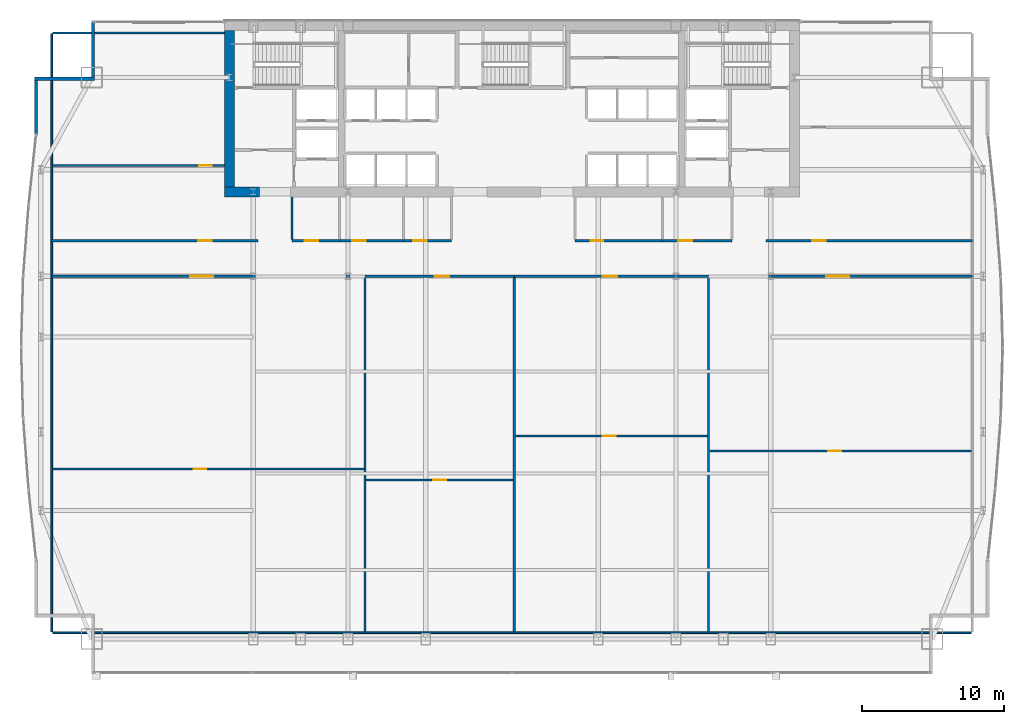
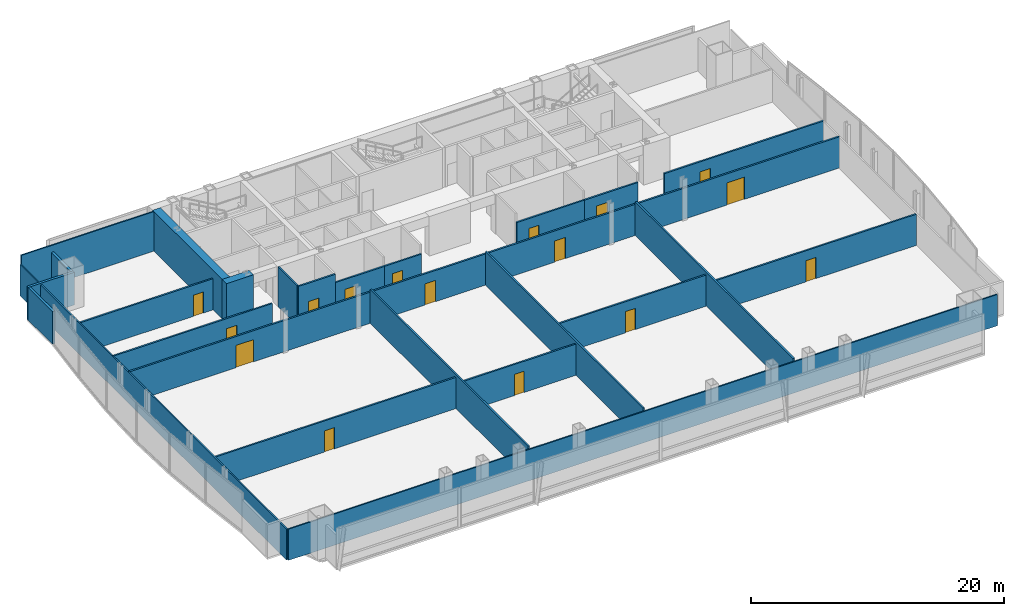
# One storey, part 26 of 30: 28 walls, 16 doors, 16 openings.
"""IFC4 building model written with IfcOpenShell, lengths in metres."""

from ifc_helpers import new_model, si_unit, direction, frame, frame_2d, origin, place, context, subcontext, project, spatial, rectangle, extrude, material, layer, layer_set, type_object, element, fill, save


model = new_model("IFC4")

# Units and contexts
model_context = context("Model", 3, precision=1e-05, world=origin(), true_north=direction((0.0, 1.0)))
body_context = subcontext(model_context, "Body", "Model", "MODEL_VIEW")
ifc_project = project(units=[si_unit("LENGTHUNIT", "METRE"), si_unit("AREAUNIT", "SQUARE_METRE"), si_unit("VOLUMEUNIT", "CUBIC_METRE"), si_unit("PLANEANGLEUNIT", "RADIAN"), si_unit("MASSUNIT", "GRAM", prefix="KILO")], contexts=[model_context])

# Site, building, storey
site_placement = place(None, origin())
site = spatial("IfcSite", under=ifc_project, at=site_placement, CompositionType="ELEMENT")
building_placement = place(site_placement, origin())
building = spatial("IfcBuilding", under=site, at=building_placement, Name="Khoronbel Lancet Exchange", CompositionType="ELEMENT")
storey_placement = place(building_placement, frame((0.0, 0.0, 98.60009765625)))
storey = spatial("IfcBuildingStorey", under=building, at=storey_placement, Name="L23", CompositionType="ELEMENT", Elevation=98.60009765625)

# Walls
ifc_material_1 = material(Name="Concrete C80/95", Category="concrete")
ifc_layer_1 = layer(ifc_material_1, 0.699951171875, Name="Concrete C80/95")
ifc_layer_set_1 = layer_set([ifc_layer_1], Name="Concrete C80/95")
wall_type_1 = type_object("IfcWallType", Name="WL-CW2", PredefinedType="SHEAR", material=ifc_layer_set_1)
wall_1_placement = place(storey_placement, frame((16.550048828125, 42.0, 0.0), z_axis=(0.0, 0.0, 1.0), x_axis=(0.0, 1.0, 0.0)))
element("IfcWall", 1, at=wall_1_placement, inside=storey, type_object=wall_type_1, Name="Level L23 rear core west shear wall", PredefinedType="SHEAR", context=body_context, shape_type="SweptSolid", body=[
    extrude(rectangle(XDim=11.0, YDim=0.699951171875, at=frame_2d((5.5, 0.0))), origin(), (0.0, 0.0, 1.0), 3.81982421875),
])
wall_2_placement = place(storey_placement, frame((18.64990234375, 41.64990234375, 0.0), z_axis=(0.0, 0.0, 1.0), x_axis=(-1.0, 0.0, 0.0)))
element("IfcWall", 2, at=wall_2_placement, inside=storey, type_object=wall_type_1, Name="Level L23 rear core south shear wall pier P1", PredefinedType="SHEAR", context=body_context, shape_type="SweptSolid", body=[
    extrude(rectangle(XDim=2.449951171875, YDim=0.699951171875, at=frame_2d((1.22509765625, 0.0))), origin(), (0.0, 0.0, 1.0), 3.81982421875),
])
ifc_material_2 = material(Name="Precast concrete C40/50", Category="concrete")
ifc_layer_2 = layer(ifc_material_2, 0.25, Name="Precast concrete C40/50")
ifc_layer_set_2 = layer_set([ifc_layer_2], Name="Precast concrete C40/50")
wall_type_2 = type_object("IfcWallType", Name="WL-EXT250", PredefinedType="SOLIDWALL", material=ifc_layer_set_2)
wall_3_placement = place(storey_placement, frame((2.93994140625, 45.67529296875, 0.0), z_axis=(0.0, 0.0, 1.0), x_axis=(0.0, 1.0, 0.0)))
element("IfcWall", 3, at=wall_3_placement, inside=storey, type_object=wall_type_2, Name="Level L23 notched-corner limestone pier 10", PredefinedType="SOLIDWALL", context=body_context, shape_type="SweptSolid", body=[
    extrude(rectangle(XDim=3.82470703125, YDim=0.219970703125, at=frame_2d((1.912353515625, 0.0))), origin(), (0.0, 0.0, 1.0), 3.159912109375),
])
wall_4_placement = place(storey_placement, frame((2.830078125, 49.610107421875, 0.0), z_axis=(0.0, 0.0, 1.0), x_axis=(1.0, 0.0, 0.0)))
element("IfcWall", 4, at=wall_4_placement, inside=storey, type_object=wall_type_2, Name="Level L23 notched-corner limestone pier 11", PredefinedType="SOLIDWALL", context=body_context, shape_type="SweptSolid", body=[
    extrude(rectangle(XDim=4.219970703125, YDim=0.219970703125, at=frame_2d((2.10986328125, 0.0))), origin(), (0.0, 0.0, 1.0), 3.159912109375),
])
wall_5_placement = place(storey_placement, frame((6.93994140625, 49.719970703125, 0.0), z_axis=(0.0, 0.0, 1.0), x_axis=(0.0, 1.0, 0.0)))
element("IfcWall", 5, at=wall_5_placement, inside=storey, type_object=wall_type_2, Name="Level L23 notched-corner limestone pier 12", PredefinedType="SOLIDWALL", context=body_context, shape_type="SweptSolid", body=[
    extrude(rectangle(XDim=3.909912109375, YDim=0.219970703125, at=frame_2d((1.955078125, 0.0))), origin(), (0.0, 0.0, 1.0), 3.159912109375),
])
ifc_material_3 = material(Name="Acoustic Metal-Stud & Mineral-Wool Gypsum Partition 120 mm", Category="gypsum")
ifc_layer_3 = layer(ifc_material_3, 0.1201171875, Name="Acoustic Metal-Stud & Mineral-Wool Gypsum Partition 120 mm")
ifc_layer_set_3 = layer_set([ifc_layer_3], Name="Acoustic Metal-Stud & Mineral-Wool Gypsum Partition 120 mm")
wall_type_3 = type_object("IfcWallType", Name="WL-PRT120", PredefinedType="PARTITIONING", material=ifc_layer_set_3)
wall_6_placement = place(storey_placement, frame((20.949951171875, 38.280029296875, 0.0), z_axis=(0.0, 0.0, 1.0), x_axis=(0.0, 1.0, 0.0)))
element("IfcWall", 6, at=wall_6_placement, inside=storey, type_object=wall_type_3, Name="Level L23 interior partition PW-WC-0", PredefinedType="PARTITIONING", context=body_context, shape_type="SweptSolid", body=[
    extrude(rectangle(XDim=3.02001953125, YDim=0.14990234375, at=frame_2d((1.510009765625, 0.0))), origin(), (0.0, 0.0, 1.0), 3.81982421875),
])

# Wall, opening, door
wall_7_placement = place(storey_placement, frame((4.094970703125, 43.5, 0.0), z_axis=(0.0, 0.0, 1.0), x_axis=(1.0, 0.0, 0.0)))
wall_7 = element("IfcWall", 7, at=wall_7_placement, inside=storey, type_object=wall_type_3, Name="Level L23 interior partition PW-NW-H", PredefinedType="PARTITIONING", context=body_context, shape_type="SweptSolid", body=[
    extrude(rectangle(XDim=12.10498046875, YDim=0.14990234375, at=frame_2d((6.052490234375, 0.0))), origin(), (0.0, 0.0, 1.0), 3.010009765625),
])
opening_1_placement = place(wall_7_placement, frame((10.320068359375, 0.0, 0.0)))
opening_1 = element("IfcOpeningElement", 8, at=opening_1_placement, cuts=wall_7, Name="Opening D5", PredefinedType="OPENING", context=body_context, shape_type="SweptSolid", body=[
    extrude(rectangle(XDim=0.89990234375, YDim=2.050048828125, at=frame_2d((0.449951171875, 1.02490234375))), frame((0.0, 0.0849609375, 0.0), z_axis=(0.0, -1.0, 0.0), x_axis=(1.0, 0.0, 0.0)), (0.0, 0.0, 1.0), 0.169921875),
])
ifc_material_4 = material(Name="Acoustic Timber Pantry & Support Door", Category="wood")
door_type_1 = type_object("IfcDoorType", Name="DR-D5", OperationType="NOTDEFINED", PredefinedType="DOOR", material=ifc_material_4)
door_1_placement = place(opening_1_placement, origin())
door_1 = element("IfcDoor", 9, at=door_1_placement, inside=storey, type_object=door_type_1, Name="NW north room door L23-1", OperationType="SINGLE_SWING_LEFT", OverallHeight=2.050048828125, OverallWidth=0.89990234375, PredefinedType="DOOR", context=body_context, shape_type="SweptSolid", body=[
    extrude(rectangle(XDim=0.89990234375, YDim=2.050048828125, at=frame_2d((0.449951171875, 1.02490234375))), frame((0.0, 0.02490234375, 0.0), z_axis=(0.0, -1.0, 0.0), x_axis=(1.0, 0.0, 0.0)), (0.0, 0.0, 1.0), 0.050048828125),
])
fill(opening_1, door_1)

wall_8_placement = place(storey_placement, frame((4.094970703125, 22.121337890625, 0.0), z_axis=(0.0, 0.0, 1.0), x_axis=(1.0, 0.0, 0.0)))
wall_8 = element("IfcWall", 10, at=wall_8_placement, inside=storey, type_object=wall_type_3, Name="Level L23 interior partition PW-Z1S-H1", PredefinedType="PARTITIONING", context=body_context, shape_type="SweptSolid", body=[
    extrude(rectangle(XDim=21.92822265625, YDim=0.14990234375, at=frame_2d((10.964111328125, 0.0))), origin(), (0.0, 0.0, 1.0), 3.010009765625),
])
opening_2_placement = place(wall_8_placement, frame((9.932861328125, 0.0, 0.0)))
opening_2 = element("IfcOpeningElement", 11, at=opening_2_placement, cuts=wall_8, Name="Opening D5", PredefinedType="OPENING", context=body_context, shape_type="SweptSolid", body=[
    extrude(rectangle(XDim=0.89990234375, YDim=2.050048828125, at=frame_2d((0.449951171875, 1.02490234375))), frame((0.0, 0.0849609375, 0.0), z_axis=(0.0, -1.0, 0.0), x_axis=(1.0, 0.0, 0.0)), (0.0, 0.0, 1.0), 0.169921875),
])
door_2_placement = place(opening_2_placement, origin())
door_2 = element("IfcDoor", 12, at=door_2_placement, inside=storey, type_object=door_type_1, Name="Z1S inner door 1 L23-1", OperationType="SINGLE_SWING_LEFT", OverallHeight=2.050048828125, OverallWidth=0.89990234375, PredefinedType="DOOR", context=body_context, shape_type="SweptSolid", body=[
    extrude(rectangle(XDim=0.89990234375, YDim=2.050048828125, at=frame_2d((0.449951171875, 1.02490234375))), frame((0.0, 0.02490234375, 0.0), z_axis=(0.0, -1.0, 0.0), x_axis=(1.0, 0.0, 0.0)), (0.0, 0.0, 1.0), 0.050048828125),
])
fill(opening_2, door_2)

wall_9_placement = place(storey_placement, frame((26.18310546875, 21.35400390625, 0.0), z_axis=(0.0, 0.0, 1.0), x_axis=(1.0, 0.0, 0.0)))
wall_9 = element("IfcWall", 13, at=wall_9_placement, inside=storey, type_object=wall_type_3, Name="Level L23 interior partition PW-Z1S-H2", PredefinedType="PARTITIONING", context=body_context, shape_type="SweptSolid", body=[
    extrude(rectangle(XDim=10.34619140625, YDim=0.14990234375, at=frame_2d((5.173095703125, 0.0))), origin(), (0.0, 0.0, 1.0), 3.010009765625),
])
opening_3_placement = place(wall_9_placement, frame((4.727783203125, 0.0, 0.0)))
opening_3 = element("IfcOpeningElement", 14, at=opening_3_placement, cuts=wall_9, Name="Opening D5", PredefinedType="OPENING", context=body_context, shape_type="SweptSolid", body=[
    extrude(rectangle(XDim=0.89990234375, YDim=2.050048828125, at=frame_2d((0.449951171875, 1.02490234375))), frame((0.0, 0.0849609375, 0.0), z_axis=(0.0, -1.0, 0.0), x_axis=(1.0, 0.0, 0.0)), (0.0, 0.0, 1.0), 0.169921875),
])
door_3_placement = place(opening_3_placement, origin())
door_3 = element("IfcDoor", 15, at=door_3_placement, inside=storey, type_object=door_type_1, Name="Z1S inner door 2 L23-1", OperationType="SINGLE_SWING_LEFT", OverallHeight=2.050048828125, OverallWidth=0.89990234375, PredefinedType="DOOR", context=body_context, shape_type="SweptSolid", body=[
    extrude(rectangle(XDim=0.89990234375, YDim=2.050048828125, at=frame_2d((0.449951171875, 1.02490234375))), frame((0.0, 0.02490234375, 0.0), z_axis=(0.0, -1.0, 0.0), x_axis=(1.0, 0.0, 0.0)), (0.0, 0.0, 1.0), 0.050048828125),
])
fill(opening_3, door_3)

wall_10_placement = place(storey_placement, frame((36.689208984375, 24.45947265625, 0.0), z_axis=(0.0, 0.0, 1.0), x_axis=(1.0, 0.0, 0.0)))
wall_10 = element("IfcWall", 16, at=wall_10_placement, inside=storey, type_object=wall_type_3, Name="Level L23 interior partition PW-Z1S-H3", PredefinedType="PARTITIONING", context=body_context, shape_type="SweptSolid", body=[
    extrude(rectangle(XDim=13.529541015625, YDim=0.14990234375, at=frame_2d((6.7646484375, 0.0))), origin(), (0.0, 0.0, 1.0), 3.010009765625),
])
opening_4_placement = place(wall_10_placement, frame((6.160400390625, 0.0, 0.0)))
opening_4 = element("IfcOpeningElement", 17, at=opening_4_placement, cuts=wall_10, Name="Opening D5", PredefinedType="OPENING", context=body_context, shape_type="SweptSolid", body=[
    extrude(rectangle(XDim=0.89990234375, YDim=2.050048828125, at=frame_2d((0.449951171875, 1.02490234375))), frame((0.0, 0.0849609375, 0.0), z_axis=(0.0, -1.0, 0.0), x_axis=(1.0, 0.0, 0.0)), (0.0, 0.0, 1.0), 0.169921875),
])
door_4_placement = place(opening_4_placement, origin())
door_4 = element("IfcDoor", 18, at=door_4_placement, inside=storey, type_object=door_type_1, Name="Z1S inner door 3 L23-1", OperationType="SINGLE_SWING_LEFT", OverallHeight=2.050048828125, OverallWidth=0.89990234375, PredefinedType="DOOR", context=body_context, shape_type="SweptSolid", body=[
    extrude(rectangle(XDim=0.89990234375, YDim=2.050048828125, at=frame_2d((0.449951171875, 1.02490234375))), frame((0.0, 0.02490234375, 0.0), z_axis=(0.0, -1.0, 0.0), x_axis=(1.0, 0.0, 0.0)), (0.0, 0.0, 1.0), 0.050048828125),
])
fill(opening_4, door_4)

wall_11_placement = place(storey_placement, frame((50.37890625, 23.404052734375, 0.0), z_axis=(0.0, 0.0, 1.0), x_axis=(1.0, 0.0, 0.0)))
wall_11 = element("IfcWall", 19, at=wall_11_placement, inside=storey, type_object=wall_type_3, Name="Level L23 interior partition PW-Z1S-H4", PredefinedType="PARTITIONING", context=body_context, shape_type="SweptSolid", body=[
    extrude(rectangle(XDim=18.426025390625, YDim=0.14990234375, at=frame_2d((9.212890625, 0.0))), origin(), (0.0, 0.0, 1.0), 3.010009765625),
])
opening_5_placement = place(wall_11_placement, frame((8.35693359375, 0.0, 0.0)))
opening_5 = element("IfcOpeningElement", 20, at=opening_5_placement, cuts=wall_11, Name="Opening D5", PredefinedType="OPENING", context=body_context, shape_type="SweptSolid", body=[
    extrude(rectangle(XDim=0.89990234375, YDim=2.050048828125, at=frame_2d((0.449951171875, 1.02490234375))), frame((0.0, 0.0849609375, 0.0), z_axis=(0.0, -1.0, 0.0), x_axis=(1.0, 0.0, 0.0)), (0.0, 0.0, 1.0), 0.169921875),
])
door_5_placement = place(opening_5_placement, origin())
door_5 = element("IfcDoor", 21, at=door_5_placement, inside=storey, type_object=door_type_1, Name="Z1S inner door 4 L23-1", OperationType="SINGLE_SWING_RIGHT", OverallHeight=2.050048828125, OverallWidth=0.89990234375, PredefinedType="DOOR", context=body_context, shape_type="SweptSolid", body=[
    extrude(rectangle(XDim=0.89990234375, YDim=2.050048828125, at=frame_2d((0.449951171875, 1.02490234375))), frame((0.0, 0.02490234375, 0.0), z_axis=(0.0, -1.0, 0.0), x_axis=(1.0, 0.0, 0.0)), (0.0, 0.0, 1.0), 0.050048828125),
])
fill(opening_5, door_5)

# Walls
wall_12_placement = place(storey_placement, frame((4.030029296875, 10.6650390625, 0.0), z_axis=(0.0, 0.0, 1.0), x_axis=(0.0, 1.0, 0.0)))
element("IfcWall", 22, at=wall_12_placement, inside=storey, type_object=wall_type_3, Name="Level L23 interior partition PW-LIN-W", PredefinedType="PARTITIONING", context=body_context, shape_type="SweptSolid", body=[
    extrude(rectangle(XDim=42.10986328125, YDim=0.1201171875, at=frame_2d((21.054931640625, 0.0))), origin(), (0.0, 0.0, 1.0), 3.010009765625),
])
wall_13_placement = place(storey_placement, frame((4.094970703125, 52.840087890625, 0.0), z_axis=(0.0, 0.0, 1.0), x_axis=(1.0, 0.0, 0.0)))
element("IfcWall", 23, at=wall_13_placement, inside=storey, type_object=wall_type_3, Name="Level L23 interior partition PW-LIN-NW", PredefinedType="PARTITIONING", context=body_context, shape_type="SweptSolid", body=[
    extrude(rectangle(XDim=12.10498046875, YDim=0.1201171875, at=frame_2d((6.052490234375, 0.0))), origin(), (0.0, 0.0, 1.0), 3.81982421875),
])
wall_14_placement = place(storey_placement, frame((4.094970703125, 10.60009765625, 0.0), z_axis=(0.0, 0.0, 1.0), x_axis=(1.0, 0.0, 0.0)))
element("IfcWall", 24, at=wall_14_placement, inside=storey, type_object=wall_type_3, Name="Level L23 interior partition PW-LIN-S", PredefinedType="PARTITIONING", context=body_context, shape_type="SweptSolid", body=[
    extrude(rectangle(XDim=64.7099609375, YDim=0.1201171875, at=frame_2d((32.35498046875, 0.0))), origin(), (0.0, 0.0, 1.0), 3.010009765625),
])

# Wall, opening, door
ifc_material_5 = material(Name="Fire-Rated Twin-Stud Acoustic Gypsum Partition 150 mm", Category="gypsum")
ifc_layer_4 = layer(ifc_material_5, 0.14990234375, Name="Fire-Rated Twin-Stud Acoustic Gypsum Partition 150 mm")
ifc_layer_set_4 = layer_set([ifc_layer_4], Name="Fire-Rated Twin-Stud Acoustic Gypsum Partition 150 mm")
wall_type_4 = type_object("IfcWallType", Name="WL-PRT150C", PredefinedType="PARTITIONING", material=ifc_layer_set_4)
wall_15_placement = place(storey_placement, frame((20.949951171875, 38.199951171875, 0.0), z_axis=(0.0, 0.0, 1.0), x_axis=(1.0, 0.0, 0.0)))
wall_15 = element("IfcWall", 25, at=wall_15_placement, inside=storey, type_object=wall_type_4, Name="Level L23 interior partition PW-WC-S1", PredefinedType="PARTITIONING", context=body_context, shape_type="SweptSolid", body=[
    extrude(rectangle(XDim=3.35009765625, YDim=0.14990234375, at=frame_2d((1.675048828125, 0.0))), origin(), (0.0, 0.0, 1.0), 3.81982421875),
])
opening_6_placement = place(wall_15_placement, frame((0.89990234375, 0.0, 0.0)))
opening_6 = element("IfcOpeningElement", 26, at=opening_6_placement, cuts=wall_15, Name="Opening D4", PredefinedType="OPENING", context=body_context, shape_type="SweptSolid", body=[
    extrude(rectangle(XDim=0.949951171875, YDim=2.050048828125, at=frame_2d((0.47509765625, 1.02490234375))), frame((0.0, 0.0849609375, 0.0), z_axis=(0.0, -1.0, 0.0), x_axis=(1.0, 0.0, 0.0)), (0.0, 0.0, 1.0), 0.169921875),
])
ifc_material_6 = material(Name="Moisture-Resistant HPL Washroom Door", Category="wood")
door_type_2 = type_object("IfcDoorType", Name="DR-D4", OperationType="NOTDEFINED", PredefinedType="DOOR", material=ifc_material_6)
door_6_placement = place(opening_6_placement, origin())
door_6 = element("IfcDoor", 27, at=door_6_placement, inside=storey, type_object=door_type_2, Name="Male washroom door L23-1", OperationType="SINGLE_SWING_RIGHT", OverallHeight=2.050048828125, OverallWidth=0.949951171875, PredefinedType="DOOR", context=body_context, shape_type="SweptSolid", body=[
    extrude(rectangle(XDim=0.949951171875, YDim=2.050048828125, at=frame_2d((0.47509765625, 1.02490234375))), frame((0.0, 0.02490234375, 0.0), z_axis=(0.0, -1.0, 0.0), x_axis=(1.0, 0.0, 0.0)), (0.0, 0.0, 1.0), 0.050048828125),
])
fill(opening_6, door_6)

wall_16_placement = place(storey_placement, frame((24.300048828125, 38.199951171875, 0.0), z_axis=(0.0, 0.0, 1.0), x_axis=(1.0, 0.0, 0.0)))
wall_16 = element("IfcWall", 28, at=wall_16_placement, inside=storey, type_object=wall_type_4, Name="Level L23 interior partition PW-WC-S2", PredefinedType="PARTITIONING", context=body_context, shape_type="SweptSolid", body=[
    extrude(rectangle(XDim=4.5, YDim=0.14990234375, at=frame_2d((2.25, 0.0))), origin(), (0.0, 0.0, 1.0), 3.010009765625),
])
opening_7_placement = place(wall_16_placement, frame((0.89990234375, 0.0, 0.0)))
opening_7 = element("IfcOpeningElement", 29, at=opening_7_placement, cuts=wall_16, Name="Opening D4", PredefinedType="OPENING", context=body_context, shape_type="SweptSolid", body=[
    extrude(rectangle(XDim=0.949951171875, YDim=2.050048828125, at=frame_2d((0.47509765625, 1.02490234375))), frame((0.0, 0.0849609375, 0.0), z_axis=(0.0, -1.0, 0.0), x_axis=(1.0, 0.0, 0.0)), (0.0, 0.0, 1.0), 0.169921875),
])
door_7_placement = place(opening_7_placement, origin())
door_7 = element("IfcDoor", 30, at=door_7_placement, inside=storey, type_object=door_type_2, Name="Female washroom door L23-1", OperationType="SINGLE_SWING_LEFT", OverallHeight=2.050048828125, OverallWidth=0.949951171875, PredefinedType="DOOR", context=body_context, shape_type="SweptSolid", body=[
    extrude(rectangle(XDim=0.949951171875, YDim=2.050048828125, at=frame_2d((0.47509765625, 1.02490234375))), frame((0.0, 0.02490234375, 0.0), z_axis=(0.0, -1.0, 0.0), x_axis=(1.0, 0.0, 0.0)), (0.0, 0.0, 1.0), 0.050048828125),
])
fill(opening_7, door_7)

wall_17_placement = place(storey_placement, frame((28.800048828125, 38.199951171875, 0.0), z_axis=(0.0, 0.0, 1.0), x_axis=(1.0, 0.0, 0.0)))
wall_17 = element("IfcWall", 31, at=wall_17_placement, inside=storey, type_object=wall_type_4, Name="Level L23 interior partition PW-WC-S3", PredefinedType="PARTITIONING", context=body_context, shape_type="SweptSolid", body=[
    extrude(rectangle(XDim=3.3798828125, YDim=0.14990234375, at=frame_2d((1.68994140625, 0.0))), origin(), (0.0, 0.0, 1.0), 3.010009765625),
])
opening_8_placement = place(wall_17_placement, frame((0.699951171875, 0.0, 0.0)))
opening_8 = element("IfcOpeningElement", 32, at=opening_8_placement, cuts=wall_17, Name="Opening D4", PredefinedType="OPENING", context=body_context, shape_type="SweptSolid", body=[
    extrude(rectangle(XDim=0.949951171875, YDim=2.050048828125, at=frame_2d((0.47509765625, 1.02490234375))), frame((0.0, 0.0849609375, 0.0), z_axis=(0.0, -1.0, 0.0), x_axis=(1.0, 0.0, 0.0)), (0.0, 0.0, 1.0), 0.169921875),
])
door_8_placement = place(opening_8_placement, origin())
door_8 = element("IfcDoor", 33, at=door_8_placement, inside=storey, type_object=door_type_2, Name="Accessible WC door L23-1", OperationType="SINGLE_SWING_RIGHT", OverallHeight=2.050048828125, OverallWidth=0.949951171875, PredefinedType="DOOR", context=body_context, shape_type="SweptSolid", body=[
    extrude(rectangle(XDim=0.949951171875, YDim=2.050048828125, at=frame_2d((0.47509765625, 1.02490234375))), frame((0.0, 0.02490234375, 0.0), z_axis=(0.0, -1.0, 0.0), x_axis=(1.0, 0.0, 0.0)), (0.0, 0.0, 1.0), 0.050048828125),
])
fill(opening_8, door_8)

wall_18_placement = place(storey_placement, frame((40.8798828125, 38.199951171875, 0.0), z_axis=(0.0, 0.0, 1.0), x_axis=(1.0, 0.0, 0.0)))
wall_18 = element("IfcWall", 34, at=wall_18_placement, inside=storey, type_object=wall_type_4, Name="Level L23 interior partition PW-NP-S1", PredefinedType="PARTITIONING", context=body_context, shape_type="SweptSolid", body=[
    extrude(rectangle(XDim=6.170166015625, YDim=0.14990234375, at=frame_2d((3.0849609375, 0.0))), origin(), (0.0, 0.0, 1.0), 3.010009765625),
])
opening_9_placement = place(wall_18_placement, frame((1.10009765625, 0.0, 0.0)))
opening_9 = element("IfcOpeningElement", 35, at=opening_9_placement, cuts=wall_18, Name="Opening D5", PredefinedType="OPENING", context=body_context, shape_type="SweptSolid", body=[
    extrude(rectangle(XDim=0.89990234375, YDim=2.050048828125, at=frame_2d((0.449951171875, 1.02490234375))), frame((0.0, 0.0849609375, 0.0), z_axis=(0.0, -1.0, 0.0), x_axis=(1.0, 0.0, 0.0)), (0.0, 0.0, 1.0), 0.169921875),
])
door_9_placement = place(opening_9_placement, origin())
door_9 = element("IfcDoor", 36, at=door_9_placement, inside=storey, type_object=door_type_1, Name="Floor refreshment pantry door L23-1", OperationType="SINGLE_SWING_LEFT", OverallHeight=2.050048828125, OverallWidth=0.89990234375, PredefinedType="DOOR", context=body_context, shape_type="SweptSolid", body=[
    extrude(rectangle(XDim=0.89990234375, YDim=2.050048828125, at=frame_2d((0.449951171875, 1.02490234375))), frame((0.0, 0.02490234375, 0.0), z_axis=(0.0, -1.0, 0.0), x_axis=(1.0, 0.0, 0.0)), (0.0, 0.0, 1.0), 0.050048828125),
])
fill(opening_9, door_9)

wall_19_placement = place(storey_placement, frame((47.050048828125, 38.199951171875, 0.0), z_axis=(0.0, 0.0, 1.0), x_axis=(1.0, 0.0, 0.0)))
wall_19 = element("IfcWall", 37, at=wall_19_placement, inside=storey, type_object=wall_type_4, Name="Level L23 interior partition PW-NP-S2", PredefinedType="PARTITIONING", context=body_context, shape_type="SweptSolid", body=[
    extrude(rectangle(XDim=4.89990234375, YDim=0.14990234375, at=frame_2d((2.449951171875, 0.0))), origin(), (0.0, 0.0, 1.0), 3.010009765625),
])
opening_10_placement = place(wall_19_placement, frame((1.10009765625, 0.0, 0.0)))
opening_10 = element("IfcOpeningElement", 38, at=opening_10_placement, cuts=wall_19, Name="Opening D2", PredefinedType="OPENING", context=body_context, shape_type="SweptSolid", body=[
    extrude(rectangle(XDim=1.0, YDim=2.050048828125, at=frame_2d((0.5, 1.02490234375))), frame((0.0, 0.0849609375, 0.0), z_axis=(0.0, -1.0, 0.0), x_axis=(1.0, 0.0, 0.0)), (0.0, 0.0, 1.0), 0.169921875),
])
ifc_material_7 = material(Name="Acoustic Veneered Timber & Bronze Frame Door", Category="wood")
door_type_3 = type_object("IfcDoorType", Name="DR-D2", OperationType="NOTDEFINED", PredefinedType="DOOR", material=ifc_material_7)
door_10_placement = place(opening_10_placement, origin())
door_10 = element("IfcDoor", 39, at=door_10_placement, inside=storey, type_object=door_type_3, Name="Floor store door L23-1", OperationType="SINGLE_SWING_RIGHT", OverallHeight=2.050048828125, OverallWidth=1.0, PredefinedType="DOOR", context=body_context, shape_type="SweptSolid", body=[
    extrude(rectangle(XDim=1.0, YDim=2.050048828125, at=frame_2d((0.5, 1.02490234375))), frame((0.0, 0.02490234375, 0.0), z_axis=(0.0, -1.0, 0.0), x_axis=(1.0, 0.0, 0.0)), (0.0, 0.0, 1.0), 0.050048828125),
])
fill(opening_10, door_10)

wall_20_placement = place(storey_placement, frame((4.030029296875, 38.199951171875, 0.0), z_axis=(0.0, 0.0, 1.0), x_axis=(1.0, 0.0, 0.0)))
wall_20 = element("IfcWall", 40, at=wall_20_placement, inside=storey, type_object=wall_type_4, Name="Level L23 interior partition PW-NW-S", PredefinedType="PARTITIONING", context=body_context, shape_type="SweptSolid", body=[
    extrude(rectangle(XDim=14.52001953125, YDim=0.14990234375, at=frame_2d((7.260009765625, 0.0))), origin(), (0.0, 0.0, 1.0), 3.010009765625),
])
opening_11_placement = place(wall_20_placement, frame((10.320068359375, 0.0, 0.0)))
opening_11 = element("IfcOpeningElement", 41, at=opening_11_placement, cuts=wall_20, Name="Opening D1", PredefinedType="OPENING", context=body_context, shape_type="SweptSolid", body=[
    extrude(rectangle(XDim=0.949951171875, YDim=2.050048828125, at=frame_2d((0.47509765625, 1.02490234375))), frame((0.0, 0.0849609375, 0.0), z_axis=(0.0, -1.0, 0.0), x_axis=(1.0, 0.0, 0.0)), (0.0, 0.0, 1.0), 0.169921875),
])
door_type_4 = type_object("IfcDoorType", Name="DR-D1", OperationType="NOTDEFINED", PredefinedType="DOOR", material=ifc_material_7)
door_11_placement = place(opening_11_placement, origin())
door_11 = element("IfcDoor", 42, at=door_11_placement, inside=storey, type_object=door_type_4, Name="NW corner room door L23-1", OperationType="SINGLE_SWING_LEFT", OverallHeight=2.050048828125, OverallWidth=0.949951171875, PredefinedType="DOOR", context=body_context, shape_type="SweptSolid", body=[
    extrude(rectangle(XDim=0.949951171875, YDim=2.050048828125, at=frame_2d((0.47509765625, 1.02490234375))), frame((0.0, 0.02490234375, 0.0), z_axis=(0.0, -1.0, 0.0), x_axis=(1.0, 0.0, 0.0)), (0.0, 0.0, 1.0), 0.050048828125),
])
fill(opening_11, door_11)

wall_21_placement = place(storey_placement, frame((54.35009765625, 38.199951171875, 0.0), z_axis=(0.0, 0.0, 1.0), x_axis=(1.0, 0.0, 0.0)))
wall_21 = element("IfcWall", 43, at=wall_21_placement, inside=storey, type_object=wall_type_4, Name="Level L23 interior partition PW-NE-S", PredefinedType="PARTITIONING", context=body_context, shape_type="SweptSolid", body=[
    extrude(rectangle(XDim=14.52001953125, YDim=0.14990234375, at=frame_2d((7.260009765625, 0.0))), origin(), (0.0, 0.0, 1.0), 3.010009765625),
])
opening_12_placement = place(wall_21_placement, frame((3.25, 0.0, 0.0)))
opening_12 = element("IfcOpeningElement", 44, at=opening_12_placement, cuts=wall_21, Name="Opening D1", PredefinedType="OPENING", context=body_context, shape_type="SweptSolid", body=[
    extrude(rectangle(XDim=0.949951171875, YDim=2.050048828125, at=frame_2d((0.47509765625, 1.02490234375))), frame((0.0, 0.0849609375, 0.0), z_axis=(0.0, -1.0, 0.0), x_axis=(1.0, 0.0, 0.0)), (0.0, 0.0, 1.0), 0.169921875),
])
door_12_placement = place(opening_12_placement, origin())
door_12 = element("IfcDoor", 45, at=door_12_placement, inside=storey, type_object=door_type_4, Name="NE corner room door L23-1", OperationType="SINGLE_SWING_RIGHT", OverallHeight=2.050048828125, OverallWidth=0.949951171875, PredefinedType="DOOR", context=body_context, shape_type="SweptSolid", body=[
    extrude(rectangle(XDim=0.949951171875, YDim=2.050048828125, at=frame_2d((0.47509765625, 1.02490234375))), frame((0.0, 0.02490234375, 0.0), z_axis=(0.0, -1.0, 0.0), x_axis=(1.0, 0.0, 0.0)), (0.0, 0.0, 1.0), 0.050048828125),
])
fill(opening_12, door_12)

# Walls
for number, where, z_axis, x_axis, name in (
    (46, (26.103271484375, 10.6650390625, 0.0), (0.0, 0.0, 1.0), (0.0, 1.0, 0.0), "Level L23 interior partition PW-Z1S-V1"),
    (47, (36.609130859375, 10.6650390625, 0.0), (0.0, 0.0, 1.0), (0.0, 1.0, 0.0), "Level L23 interior partition PW-Z1S-V2"),
    (48, (50.298828125, 10.6650390625, 0.0), (0.0, 0.0, 1.0), (0.0, 1.0, 0.0), "Level L23 interior partition PW-Z1S-V3"),
):
    element("IfcWall", number, at=place(storey_placement, frame(where, z_axis=z_axis, x_axis=x_axis)), inside=storey, type_object=wall_type_4, Name=name, PredefinedType="PARTITIONING", context=body_context, shape_type="SweptSolid", body=[
        extrude(rectangle(XDim=24.949951171875, YDim=0.14990234375, at=frame_2d((12.47509765625, 0.0))), origin(), (0.0, 0.0, 1.0), 3.260009765625),
    ])

# Wall, opening, door
ifc_material_8 = material(Name="Fire-Rated Twin-Stud Acoustic Gypsum Partition 160 mm", Category="gypsum")
ifc_layer_5 = layer(ifc_material_8, 0.159912109375, Name="Fire-Rated Twin-Stud Acoustic Gypsum Partition 160 mm")
ifc_layer_set_5 = layer_set([ifc_layer_5], Name="Fire-Rated Twin-Stud Acoustic Gypsum Partition 160 mm")
wall_type_5 = type_object("IfcWallType", Name="WL-PRT160C", PredefinedType="PARTITIONING", material=ifc_layer_set_5)
wall_22_placement = place(storey_placement, frame((4.030029296875, 35.699951171875, 0.0), z_axis=(0.0, 0.0, 1.0), x_axis=(1.0, 0.0, 0.0)))
wall_22 = element("IfcWall", 49, at=wall_22_placement, inside=storey, type_object=wall_type_5, Name="Level L23 interior partition PW-Z1S-COR1", PredefinedType="PARTITIONING", context=body_context, shape_type="SweptSolid", body=[
    extrude(rectangle(XDim=22.0732421875, YDim=0.159912109375, at=frame_2d((11.03662109375, 0.0))), origin(), (0.0, 0.0, 1.0), 3.010009765625),
])
opening_13_placement = place(wall_22_placement, frame((9.770751953125, 0.0, 0.0)))
opening_13 = element("IfcOpeningElement", 50, at=opening_13_placement, cuts=wall_22, Name="Opening D3", PredefinedType="OPENING", context=body_context, shape_type="SweptSolid", body=[
    extrude(rectangle(XDim=1.60009765625, YDim=2.14990234375, at=frame_2d((0.800048828125, 1.074951171875))), frame((0.0, 0.08984375, 0.0), z_axis=(0.0, -1.0, 0.0), x_axis=(1.0, 0.0, 0.0)), (0.0, 0.0, 1.0), 0.179931640625),
])
ifc_material_9 = material(Name="Glazed Bronze-Framed Double Suite Door", Category="aluminium")
door_type_5 = type_object("IfcDoorType", Name="DR-D3", OperationType="NOTDEFINED", PredefinedType="DOOR", material=ifc_material_9)
door_13_placement = place(opening_13_placement, origin())
door_13 = element("IfcDoor", 51, at=door_13_placement, inside=storey, type_object=door_type_5, Name="Z1S bay 1 door L23-1", OperationType="DOUBLE_DOOR_SINGLE_SWING", OverallHeight=2.14990234375, OverallWidth=1.60009765625, PredefinedType="DOOR", context=body_context, shape_type="SweptSolid", body=[
    extrude(rectangle(XDim=1.60009765625, YDim=2.14990234375, at=frame_2d((0.800048828125, 1.074951171875))), frame((0.0, 0.02490234375, 0.0), z_axis=(0.0, -1.0, 0.0), x_axis=(1.0, 0.0, 0.0)), (0.0, 0.0, 1.0), 0.050048828125),
])
fill(opening_13, door_13)

wall_23_placement = place(storey_placement, frame((26.103271484375, 35.699951171875, 0.0), z_axis=(0.0, 0.0, 1.0), x_axis=(1.0, 0.0, 0.0)))
wall_23 = element("IfcWall", 52, at=wall_23_placement, inside=storey, type_object=wall_type_5, Name="Level L23 interior partition PW-Z1S-COR2", PredefinedType="PARTITIONING", context=body_context, shape_type="SweptSolid", body=[
    extrude(rectangle(XDim=10.505859375, YDim=0.159912109375, at=frame_2d((5.2529296875, 0.0))), origin(), (0.0, 0.0, 1.0), 3.010009765625),
])
opening_14_placement = place(wall_23_placement, frame((4.91259765625, 0.0, 0.0)))
opening_14 = element("IfcOpeningElement", 53, at=opening_14_placement, cuts=wall_23, Name="Opening D2", PredefinedType="OPENING", context=body_context, shape_type="SweptSolid", body=[
    extrude(rectangle(XDim=1.0, YDim=2.050048828125, at=frame_2d((0.5, 1.02490234375))), frame((0.0, 0.08984375, 0.0), z_axis=(0.0, -1.0, 0.0), x_axis=(1.0, 0.0, 0.0)), (0.0, 0.0, 1.0), 0.179931640625),
])
door_14_placement = place(opening_14_placement, origin())
door_14 = element("IfcDoor", 54, at=door_14_placement, inside=storey, type_object=door_type_3, Name="Z1S bay 2 door L23-1", OperationType="SINGLE_SWING_RIGHT", OverallHeight=2.050048828125, OverallWidth=1.0, PredefinedType="DOOR", context=body_context, shape_type="SweptSolid", body=[
    extrude(rectangle(XDim=1.0, YDim=2.050048828125, at=frame_2d((0.5, 1.02490234375))), frame((0.0, 0.02490234375, 0.0), z_axis=(0.0, -1.0, 0.0), x_axis=(1.0, 0.0, 0.0)), (0.0, 0.0, 1.0), 0.050048828125),
])
fill(opening_14, door_14)

wall_24_placement = place(storey_placement, frame((36.609130859375, 35.699951171875, 0.0), z_axis=(0.0, 0.0, 1.0), x_axis=(1.0, 0.0, 0.0)))
wall_24 = element("IfcWall", 55, at=wall_24_placement, inside=storey, type_object=wall_type_5, Name="Level L23 interior partition PW-Z1S-COR3", PredefinedType="PARTITIONING", context=body_context, shape_type="SweptSolid", body=[
    extrude(rectangle(XDim=13.689697265625, YDim=0.159912109375, at=frame_2d((6.8447265625, 0.0))), origin(), (0.0, 0.0, 1.0), 3.010009765625),
])
opening_15_placement = place(wall_24_placement, frame((6.24951171875, 0.0, 0.0)))
opening_15 = element("IfcOpeningElement", 56, at=opening_15_placement, cuts=wall_24, Name="Opening D2", PredefinedType="OPENING", context=body_context, shape_type="SweptSolid", body=[
    extrude(rectangle(XDim=1.0, YDim=2.050048828125, at=frame_2d((0.5, 1.02490234375))), frame((0.0, 0.08984375, 0.0), z_axis=(0.0, -1.0, 0.0), x_axis=(1.0, 0.0, 0.0)), (0.0, 0.0, 1.0), 0.179931640625),
])
door_15_placement = place(opening_15_placement, origin())
door_15 = element("IfcDoor", 57, at=door_15_placement, inside=storey, type_object=door_type_3, Name="Z1S bay 3 door L23-1", OperationType="SINGLE_SWING_RIGHT", OverallHeight=2.050048828125, OverallWidth=1.0, PredefinedType="DOOR", context=body_context, shape_type="SweptSolid", body=[
    extrude(rectangle(XDim=1.0, YDim=2.050048828125, at=frame_2d((0.5, 1.02490234375))), frame((0.0, 0.02490234375, 0.0), z_axis=(0.0, -1.0, 0.0), x_axis=(1.0, 0.0, 0.0)), (0.0, 0.0, 1.0), 0.050048828125),
])
fill(opening_15, door_15)

wall_25_placement = place(storey_placement, frame((50.298828125, 35.699951171875, 0.0), z_axis=(0.0, 0.0, 1.0), x_axis=(1.0, 0.0, 0.0)))
wall_25 = element("IfcWall", 58, at=wall_25_placement, inside=storey, type_object=wall_type_5, Name="Level L23 interior partition PW-Z1S-COR4", PredefinedType="PARTITIONING", context=body_context, shape_type="SweptSolid", body=[
    extrude(rectangle(XDim=18.5712890625, YDim=0.159912109375, at=frame_2d((9.28564453125, 0.0))), origin(), (0.0, 0.0, 1.0), 3.010009765625),
])
opening_16_placement = place(wall_25_placement, frame((8.2998046875, 0.0, 0.0)))
opening_16 = element("IfcOpeningElement", 59, at=opening_16_placement, cuts=wall_25, Name="Opening D3", PredefinedType="OPENING", context=body_context, shape_type="SweptSolid", body=[
    extrude(rectangle(XDim=1.60009765625, YDim=2.14990234375, at=frame_2d((0.800048828125, 1.074951171875))), frame((0.0, 0.08984375, 0.0), z_axis=(0.0, -1.0, 0.0), x_axis=(1.0, 0.0, 0.0)), (0.0, 0.0, 1.0), 0.179931640625),
])
door_16_placement = place(opening_16_placement, origin())
door_16 = element("IfcDoor", 60, at=door_16_placement, inside=storey, type_object=door_type_5, Name="Z1S bay 4 door L23-1", OperationType="DOUBLE_DOOR_SINGLE_SWING", OverallHeight=2.14990234375, OverallWidth=1.60009765625, PredefinedType="DOOR", context=body_context, shape_type="SweptSolid", body=[
    extrude(rectangle(XDim=1.60009765625, YDim=2.14990234375, at=frame_2d((0.800048828125, 1.074951171875))), frame((0.0, 0.02490234375, 0.0), z_axis=(0.0, -1.0, 0.0), x_axis=(1.0, 0.0, 0.0)), (0.0, 0.0, 1.0), 0.050048828125),
])
fill(opening_16, door_16)

save(model, "model.ifc")
